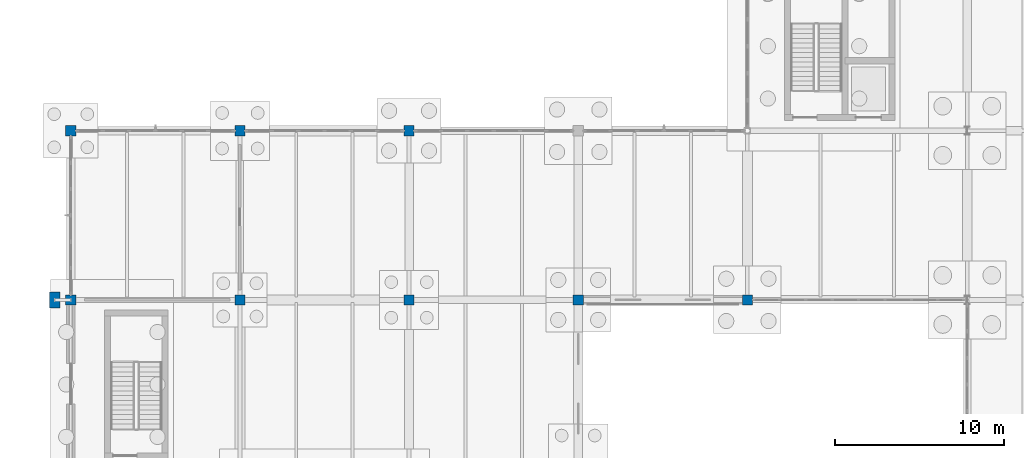
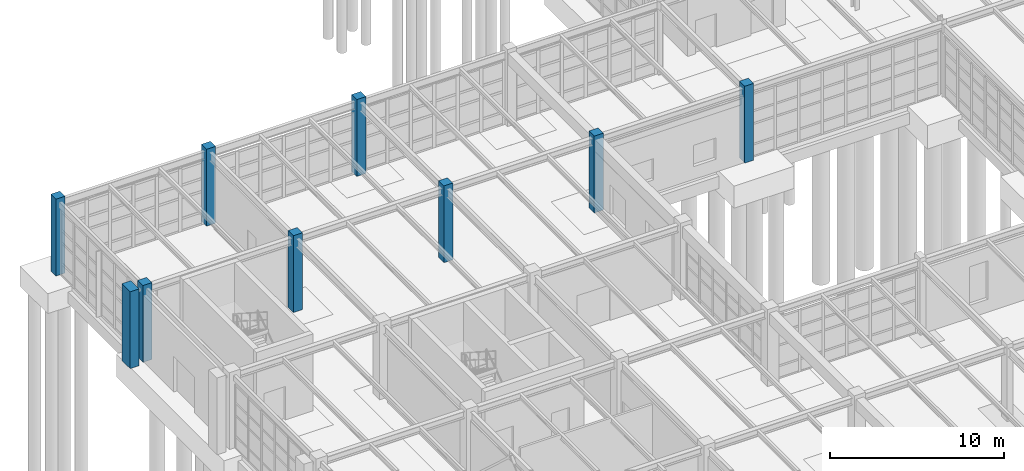
# One storey, part 19 of 145: 9 columns.
"""IFC4 building model written with IfcOpenShell, lengths in metres."""

from ifc_helpers import new_model, si_unit, direction, frame, origin, origin_2d, place, context, subcontext, project, spatial, rectangle, extrude, material, material_profile, profile_set, type_object, element, save


model = new_model("IFC4")

# Units and contexts
model_context = context("Model", 3, precision=1e-05, world=origin(), true_north=direction((0.0, 1.0)))
body_context = subcontext(model_context, "Body", "Model", "MODEL_VIEW")
ifc_project = project(units=[si_unit("LENGTHUNIT", "METRE"), si_unit("AREAUNIT", "SQUARE_METRE"), si_unit("VOLUMEUNIT", "CUBIC_METRE"), si_unit("PLANEANGLEUNIT", "RADIAN"), si_unit("MASSUNIT", "GRAM", prefix="KILO"), si_unit("THERMODYNAMICTEMPERATUREUNIT", "KELVIN"), si_unit("POWERUNIT", "WATT")], contexts=[model_context])

# Site, building, storey
site_placement = place(None, origin())
site = spatial("IfcSite", under=ifc_project, at=site_placement, CompositionType="ELEMENT")
building_placement = place(site_placement, origin())
building = spatial("IfcBuilding", under=site, at=building_placement, Name="Korenveer Ferry Terminal", CompositionType="ELEMENT")
storey_placement = place(building_placement, origin())
storey = spatial("IfcBuildingStorey", under=building, at=storey_placement, Name="L00", CompositionType="ELEMENT", Elevation=0.0)

# Columns
ifc_material_1 = material(Name="Concrete C45/55", Category="concrete")
ifc_material_profile_1 = material_profile(ifc_material_1, rectangle(XDim=0.60009765625, YDim=0.60009765625, at=origin_2d()), Name="RC 600x600")
ifc_profile_set_1 = profile_set([ifc_material_profile_1], Name="Concrete C45/55")
column_type_1 = type_object("IfcColumnType", Name="STR-COL-RC600", PredefinedType="COLUMN", material=ifc_profile_set_1)
for number, where, z_axis, x_axis, name in (
    (1, (0.0, 70.0, 0.0), (0.0, 0.0, 1.0), (1.0, 0.0, 0.0), "Column COL-L00-X0-Y70"),
    (2, (0.0, 80.0, 0.0), (0.0, 0.0, 1.0), (1.0, 0.0, 0.0), "Column COL-L00-X0-Y80"),
    (3, (10.0, 70.0, 0.0), (0.0, 0.0, 1.0), (1.0, 0.0, 0.0), "Column COL-L00-X10-Y70"),
    (4, (10.0, 80.0, 0.0), (0.0, 0.0, 1.0), (1.0, 0.0, 0.0), "Column COL-L00-X10-Y80"),
    (5, (20.0, 70.0, 0.0), (0.0, 0.0, 1.0), (1.0, 0.0, 0.0), "Column COL-L00-X20-Y70"),
    (6, (20.0, 80.0, 0.0), (0.0, 0.0, 1.0), (1.0, 0.0, 0.0), "Column COL-L00-X20-Y80"),
    (7, (30.0, 70.0, 0.0), (0.0, 0.0, 1.0), (1.0, 0.0, 0.0), "Column COL-L00-X30-Y70"),
    (8, (40.0, 70.0, 0.0), (0.0, 0.0, 1.0), (1.0, 0.0, 0.0), "Column COL-L00-X40-Y70"),
):
    element("IfcColumn", number, at=place(storey_placement, frame(where, z_axis=z_axis, x_axis=x_axis)), inside=storey, type_object=column_type_1, Name=name, PredefinedType="COLUMN", context=body_context, shape_type="SweptSolid", body=[
        extrude(rectangle(XDim=0.60009765625, YDim=0.60009765625, at=origin_2d()), origin(), (0.0, 0.0, 1.0), 5.39990234375),
    ])
ifc_material_2 = material(Name="Precast concrete C45/55", Category="concrete")
ifc_material_profile_2 = material_profile(ifc_material_2, rectangle(XDim=0.60009765625, YDim=0.949951171875, at=origin_2d()), Name="RC 600x950")
ifc_profile_set_2 = profile_set([ifc_material_profile_2], Name="Precast concrete C45/55")
column_type_2 = type_object("IfcColumnType", Name="STR-PIL-STONE600", PredefinedType="PILASTER", material=ifc_profile_set_2)
column_placement = place(storey_placement, frame((-0.949951171875, 70.0, 0.0), z_axis=(0.0, 0.0, 1.0), x_axis=(1.0, 0.0, 0.0)))
element("IfcColumn", 9, at=column_placement, inside=storey, type_object=column_type_2, Name="Buttress pilaster 16", PredefinedType="PILASTER", context=body_context, shape_type="SweptSolid", body=[
    extrude(rectangle(XDim=0.60009765625, YDim=0.949951171875, at=origin_2d()), origin(), (0.0, 0.0, 1.0), 5.39990234375),
])

save(model, "model.ifc")
